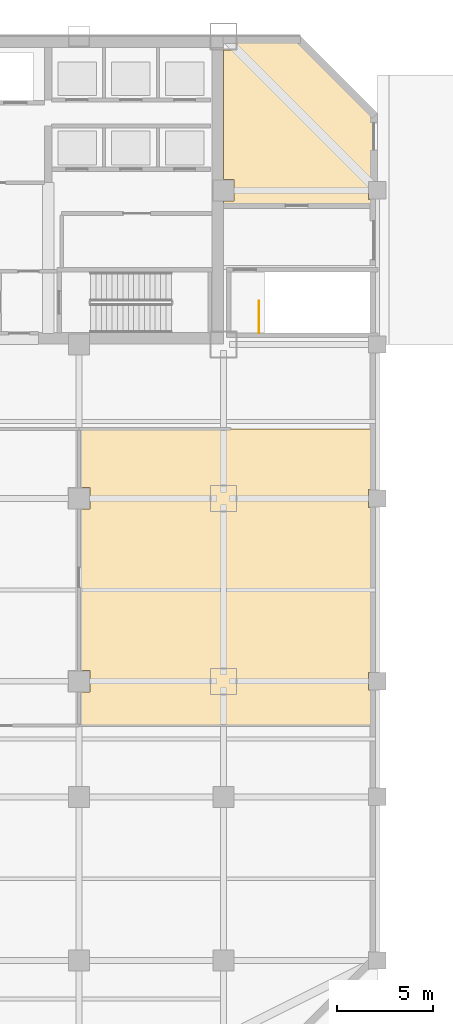
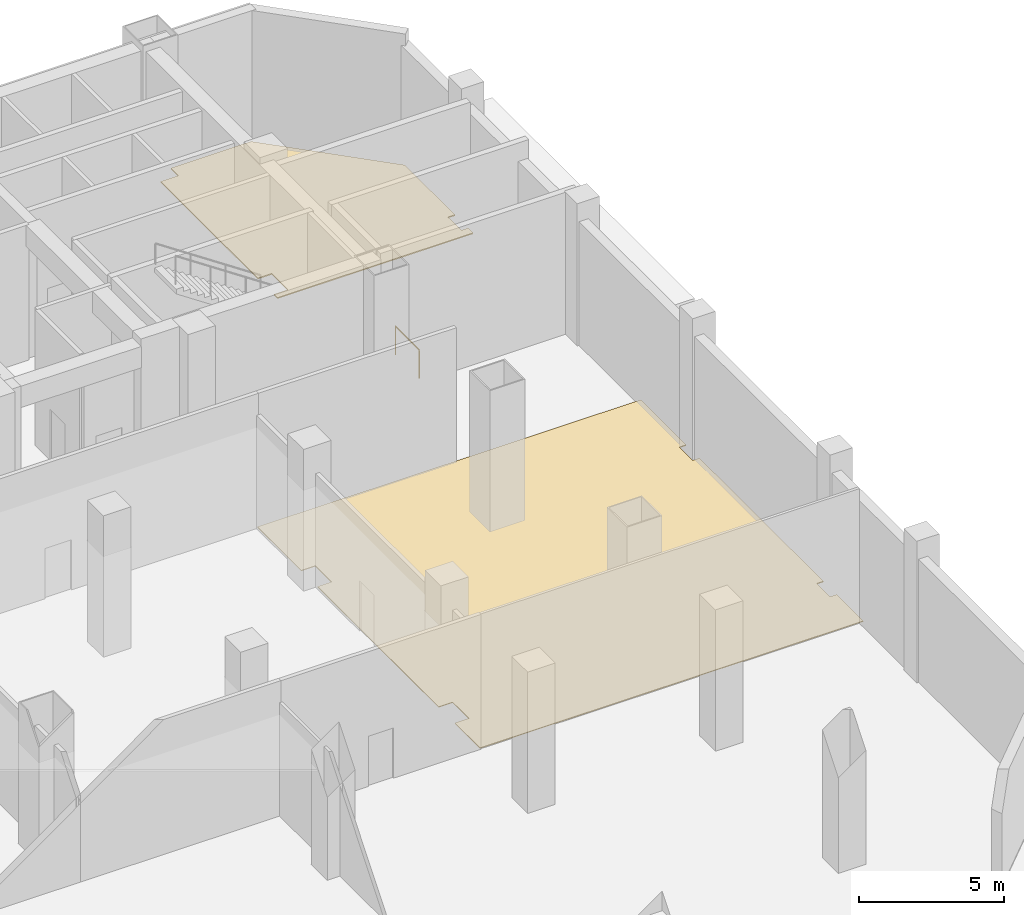
# One storey, part 18 of 19: 2 coverings, 1 railing.
"""IFC4 building model written with IfcOpenShell, lengths in metres."""

from ifc_helpers import new_model, si_unit, direction, frame, origin, origin_2d, place, context, subcontext, project, spatial, polyline, circle, outline, extrude, material, layer, layer_set, type_object, element, save


model = new_model("IFC4")

# Units and contexts
model_context = context("Model", 3, precision=1e-05, world=origin(), true_north=direction((0.0, 1.0)))
body_context = subcontext(model_context, "Body", "Model", "MODEL_VIEW")
ifc_project = project(units=[si_unit("LENGTHUNIT", "METRE"), si_unit("AREAUNIT", "SQUARE_METRE"), si_unit("VOLUMEUNIT", "CUBIC_METRE"), si_unit("PLANEANGLEUNIT", "RADIAN"), si_unit("MASSUNIT", "GRAM", prefix="KILO")], contexts=[model_context])

# Site, building, storey
site_placement = place(None, origin())
site = spatial("IfcSite", under=ifc_project, at=site_placement, CompositionType="ELEMENT")
building_placement = place(site_placement, origin())
building = spatial("IfcBuilding", under=site, at=building_placement, Name="Qianrong Seaharbour Tower", CompositionType="ELEMENT")
storey_placement = place(building_placement, origin())
storey = spatial("IfcBuildingStorey", under=building, at=storey_placement, Name="L01", CompositionType="ELEMENT", Elevation=0.0)

# Coverings
ifc_material_1 = material(Name="Honed granite stone flooring", Category="masonry")
ifc_layer_1 = layer(ifc_material_1, 0.030029296875)
ifc_layer_set_1 = layer_set([ifc_layer_1], Name="Honed granite stone flooring")
covering_type_1 = type_object("IfcCoveringType", Name="COV-FLOOR-GRANITE-30", PredefinedType="FLOORING", material=ifc_layer_set_1)
covering_1_placement = place(storey_placement, origin())
element("IfcCovering", 1, at=covering_1_placement, inside=storey, type_object=covering_type_1, Name="L01 Corporate Reception Hall Finish Flooring", PredefinedType="FLOORING", context=body_context, shape_type="SweptSolid", body=[
    extrude(outline(polyline([(71.81494140625, 31.60009765625), (71.81494140625, 28.4599609375), (71.5400390625, 28.4599609375), (71.5400390625, 27.5400390625), (71.81494140625, 27.5400390625), (71.81494140625, 18.9599609375), (71.5400390625, 18.9599609375), (71.5400390625, 18.0400390625), (71.81494140625, 18.0400390625), (71.81494140625, 16.199951171875), (56.5, 16.199951171875), (56.5, 17.93994140625), (57.06005859375, 17.93994140625), (57.06005859375, 19.06005859375), (56.5, 19.06005859375), (56.5, 27.43994140625), (57.06005859375, 27.43994140625), (57.06005859375, 28.56005859375), (56.5, 28.56005859375), (56.5, 31.60009765625), (71.81494140625, 31.60009765625)])), origin(), (0.0, 0.0, 1.0), 0.030029296875),
])
ifc_material_2 = material(Name="Calcium-sulphate raised access floor tile")
ifc_layer_2 = layer(ifc_material_2, 0.044921875)
ifc_layer_set_2 = layer_set([ifc_layer_2], Name="Calcium-sulphate raised access floor tile")
covering_type_2 = type_object("IfcCoveringType", Name="COV-FLOOR-RAISED-45", PredefinedType="FLOORING", material=ifc_layer_set_2)
covering_2_placement = place(storey_placement, origin())
element("IfcCovering", 2, at=covering_2_placement, inside=storey, type_object=covering_type_2, Name="L01 Central Disaster Prevention Center Finish Flooring", PredefinedType="FLOORING", context=body_context, shape_type="SweptSolid", body=[
    extrude(outline(polyline([(67.92333984375, 51.81494140625), (71.81494140625, 47.92333984375), (71.81494140625, 44.4599609375), (71.5400390625, 44.4599609375), (71.5400390625, 43.5400390625), (71.81494140625, 43.5400390625), (71.81494140625, 43.199951171875), (64.0, 43.199951171875), (64.0, 43.43994140625), (64.56005859375, 43.43994140625), (64.56005859375, 44.56005859375), (64.0, 44.56005859375), (64.0, 51.2900390625), (64.7099609375, 51.2900390625), (64.7099609375, 51.81494140625), (67.92333984375, 51.81494140625)])), origin(), (0.0, 0.0, 1.0), 0.044921875),
])

# Railing
ifc_material_3 = material(Name="Galvanized painted steel SN400B stair guard", Category="steel")
railing_type = type_object("IfcRailingType", Name="RAIL-STAIR-GUARD-1220", PredefinedType="GUARDRAIL", material=ifc_material_3)
railing_placement = place(storey_placement, frame((65.85009765625, 36.60009765625, 0.0)))
element("IfcRailing", 3, at=railing_placement, inside=storey, type_object=railing_type, Name="L01 BST-2 top well guard 1", PredefinedType="GUARDRAIL", context=body_context, shape_type="SweptSolid", body=[
    extrude(circle(Radius=0.02392578125, at=origin_2d()), frame((0.0, 0.0, 1.19580078125), z_axis=(0.0, 1.0, 0.0), x_axis=(-1.0, 0.0, 0.0)), (0.0, 0.0, 1.0), 1.64990234375),
    extrude(circle(Radius=0.02099609375, at=origin_2d()), origin(), (0.0, 0.0, 1.0), 1.171875),
    extrude(circle(Radius=0.02099609375, at=origin_2d()), frame((0.0, 1.64990234375, 0.0)), (0.0, 0.0, 1.0), 1.171875),
])

save(model, "model.ifc")
